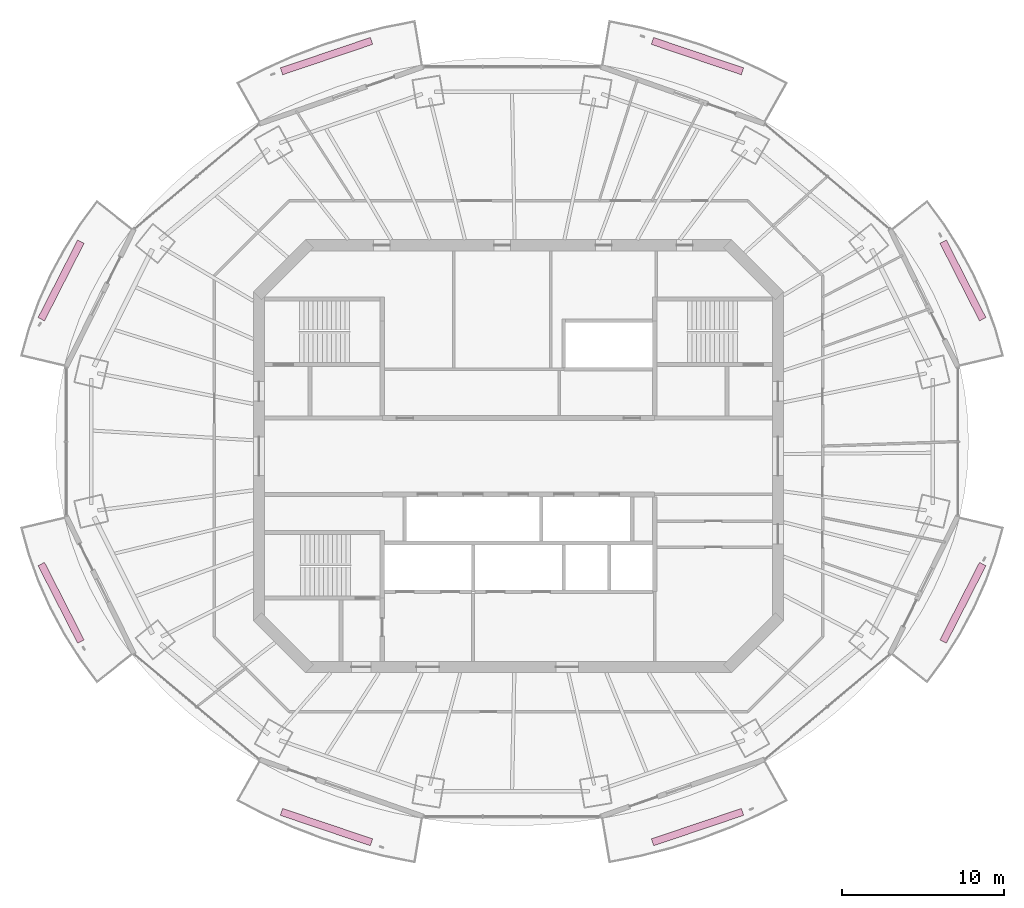
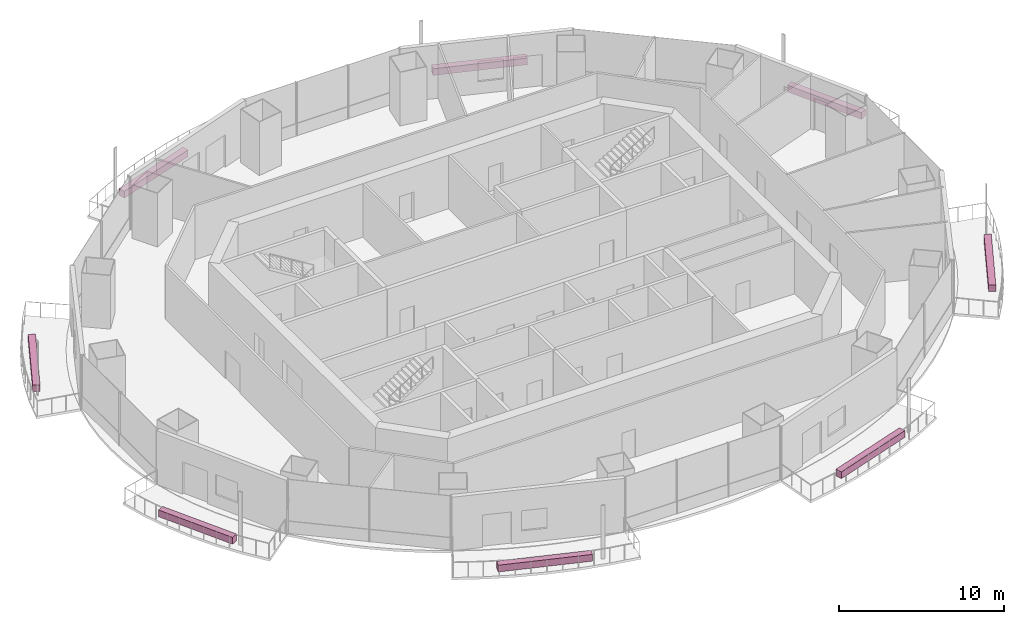
# One storey, part 16 of 16: 8 furnishings.
"""IFC4 building model written with IfcOpenShell, lengths in metres."""

from ifc_helpers import new_model, si_unit, direction, frame, origin, origin_2d, place, context, subcontext, project, spatial, rectangle, extrude, material, type_object, element, save


model = new_model("IFC4")

# Units and contexts
model_context = context("Model", 3, precision=1e-05, world=origin(), true_north=direction((0.0, 1.0)))
body_context = subcontext(model_context, "Body", "Model", "MODEL_VIEW")
ifc_project = project(units=[si_unit("LENGTHUNIT", "METRE"), si_unit("AREAUNIT", "SQUARE_METRE"), si_unit("VOLUMEUNIT", "CUBIC_METRE"), si_unit("PLANEANGLEUNIT", "RADIAN"), si_unit("MASSUNIT", "GRAM", prefix="KILO")], contexts=[model_context])

# Site, building, storey
site_placement = place(None, origin())
site = spatial("IfcSite", under=ifc_project, at=site_placement, CompositionType="ELEMENT")
building_placement = place(site_placement, origin())
building = spatial("IfcBuilding", under=site, at=building_placement, Name="Marenthal Gate Tower", CompositionType="ELEMENT")
storey_placement = place(building_placement, frame((0.0, 0.0, 317.699951171875)))
storey = spatial("IfcBuildingStorey", under=building, at=storey_placement, Name="L71", CompositionType="ELEMENT", Elevation=317.699951171875)

# Furnishings
ifc_material = material(Name="Planting soil and foliage", Category="planting")
furnishing_element_type = type_object("IfcFurnishingElementType", Name="Balcony PLANTER trough", material=ifc_material)
furnishing_1_placement = place(storey_placement, frame((27.406005859375, 10.837158203125, -0.0400390625), z_axis=(0.0, 0.0, 1.0), x_axis=(-0.45438909453, 0.89080331767, 0.0)))
element("IfcFurnishingElement", 1, at=furnishing_1_placement, inside=storey, type_object=furnishing_element_type, Name="Balcony PLANTER L71 bay 1", ObjectType="PLANTER", context=body_context, shape_type="SweptSolid", body=[
    extrude(rectangle(XDim=5.369140625, YDim=0.449951171875, at=origin_2d()), origin(), (0.0, 0.0, 1.0), 0.5),
])
for number, where, z_axis, x_axis, name in (
    (2, (11.038330078125, 24.669921875, -0.0400390625), (0.0, 0.0, 1.0), (-0.947462689864, 0.319866302252, 0.0), "Balcony PLANTER L71 bay 3"),
    (3, (-11.838134765625, 24.669921875, -0.0400390625), (0.0, 0.0, 1.0), (-0.947462689864, -0.319866302252, 0.0), "Balcony PLANTER L71 bay 5"),
):
    element("IfcFurnishingElement", number, at=place(storey_placement, frame(where, z_axis=z_axis, x_axis=x_axis)), inside=storey, type_object=furnishing_element_type, Name=name, ObjectType="PLANTER", context=body_context, shape_type="SweptSolid", body=[
        extrude(rectangle(XDim=5.8564453125, YDim=0.449951171875, at=origin_2d()), origin(), (0.0, 0.0, 1.0), 0.5),
    ])
for number, where, z_axis, x_axis, name in (
    (4, (-28.2060546875, 10.837158203125, -0.0400390625), (0.0, 0.0, 1.0), (-0.45438909453, -0.89080331767, 0.0), "Balcony PLANTER L71 bay 7"),
    (5, (-28.2060546875, -9.037353515625, -0.0400390625), (0.0, 0.0, 1.0), (0.45438909453, -0.89080331767, 0.0), "Balcony PLANTER L71 bay 9"),
):
    element("IfcFurnishingElement", number, at=place(storey_placement, frame(where, z_axis=z_axis, x_axis=x_axis)), inside=storey, type_object=furnishing_element_type, Name=name, ObjectType="PLANTER", context=body_context, shape_type="SweptSolid", body=[
        extrude(rectangle(XDim=5.369140625, YDim=0.449951171875, at=origin_2d()), origin(), (0.0, 0.0, 1.0), 0.5),
    ])
for number, where, z_axis, x_axis, name in (
    (6, (-11.838134765625, -22.869873046875, -0.0400390625), (0.0, 0.0, 1.0), (0.947462689864, -0.319866302252, 0.0), "Balcony PLANTER L71 bay 11"),
    (7, (11.038330078125, -22.869873046875, -0.0400390625), (0.0, 0.0, 1.0), (0.947462689864, 0.319866302252, 0.0), "Balcony PLANTER L71 bay 13"),
):
    element("IfcFurnishingElement", number, at=place(storey_placement, frame(where, z_axis=z_axis, x_axis=x_axis)), inside=storey, type_object=furnishing_element_type, Name=name, ObjectType="PLANTER", context=body_context, shape_type="SweptSolid", body=[
        extrude(rectangle(XDim=5.8564453125, YDim=0.449951171875, at=origin_2d()), origin(), (0.0, 0.0, 1.0), 0.5),
    ])
furnishing_2_placement = place(storey_placement, frame((27.406005859375, -9.037353515625, -0.0400390625), z_axis=(0.0, 0.0, 1.0), x_axis=(0.45438909453, 0.89080331767, 0.0)))
element("IfcFurnishingElement", 8, at=furnishing_2_placement, inside=storey, type_object=furnishing_element_type, Name="Balcony PLANTER L71 bay 15", ObjectType="PLANTER", context=body_context, shape_type="SweptSolid", body=[
    extrude(rectangle(XDim=5.369140625, YDim=0.449951171875, at=origin_2d()), origin(), (0.0, 0.0, 1.0), 0.5),
])

save(model, "model.ifc")
